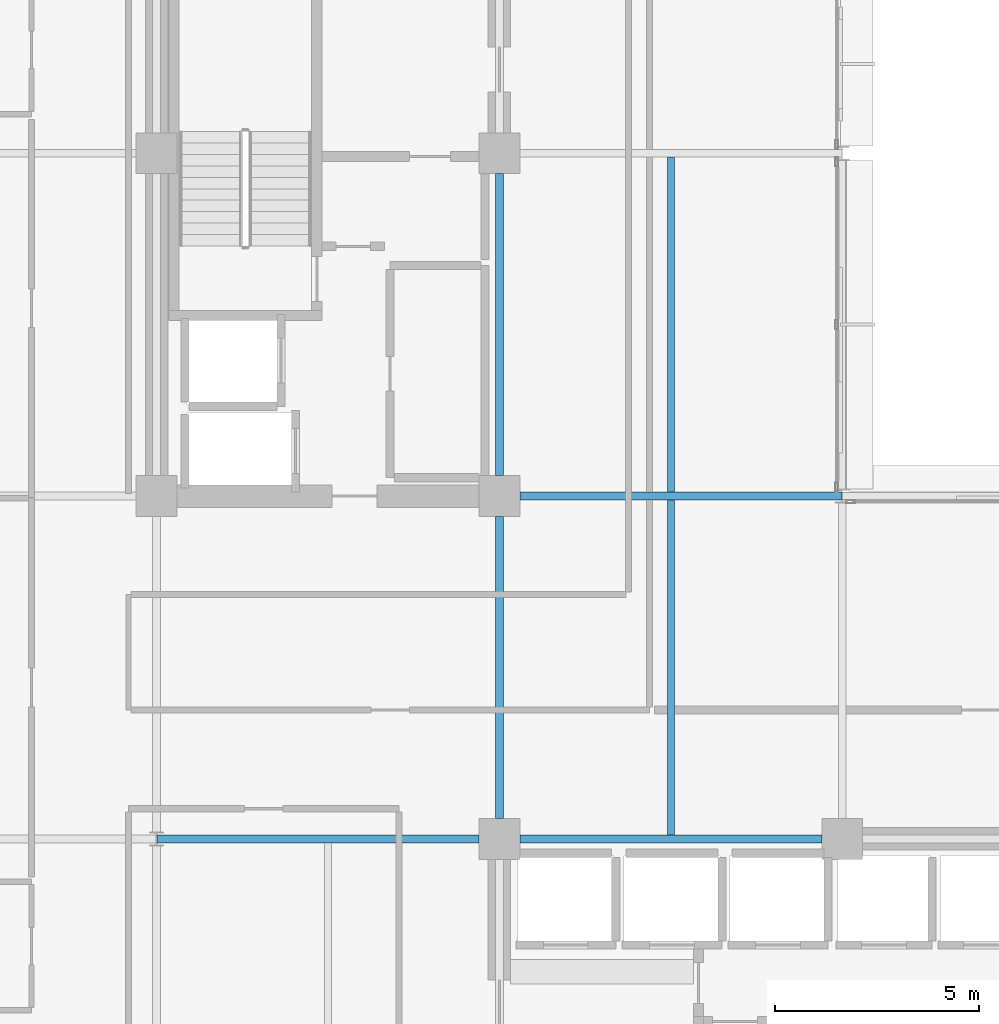
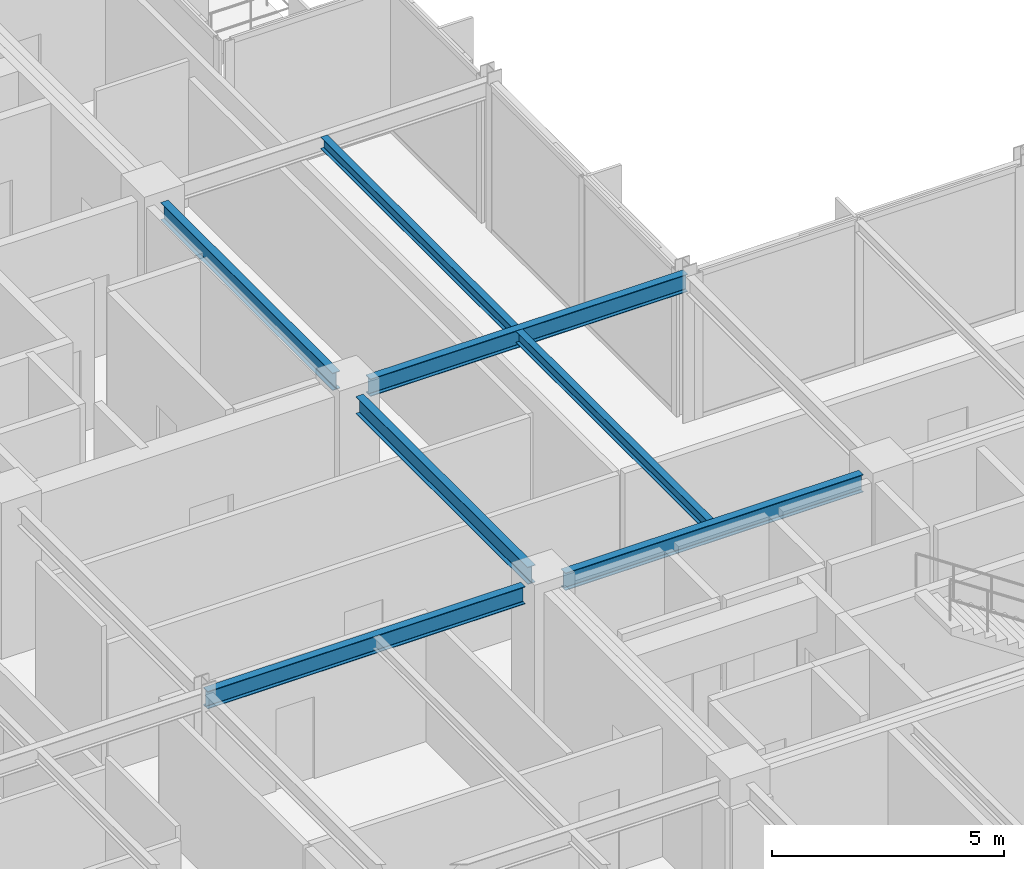
# One storey, part 6 of 21: 7 beams.
"""IFC4 building model written with IfcOpenShell, lengths in metres."""

from ifc_helpers import new_model, si_unit, direction, frame, origin, origin_2d, place, context, subcontext, project, spatial, i_section, extrude, material, material_profile, profile_set, type_object, element, save


model = new_model("IFC4")

# Units and contexts
model_context = context("Model", 3, precision=1e-05, world=origin(), true_north=direction((0.0, 1.0)))
body_context = subcontext(model_context, "Body", "Model", "MODEL_VIEW")
ifc_project = project(units=[si_unit("LENGTHUNIT", "METRE"), si_unit("AREAUNIT", "SQUARE_METRE"), si_unit("VOLUMEUNIT", "CUBIC_METRE"), si_unit("PLANEANGLEUNIT", "RADIAN"), si_unit("MASSUNIT", "GRAM", prefix="KILO")], contexts=[model_context])

# Site, building, storey
site_placement = place(None, origin())
site = spatial("IfcSite", under=ifc_project, at=site_placement, CompositionType="ELEMENT")
building_placement = place(site_placement, origin())
building = spatial("IfcBuilding", under=site, at=building_placement, Name="Nerrivon Quay Data Exchange", CompositionType="ELEMENT")
storey_placement = place(building_placement, frame((0.0, 0.0, 220.60009765625)))
storey = spatial("IfcBuildingStorey", under=building, at=storey_placement, Name="L52", CompositionType="ELEMENT", Elevation=220.60009765625)

# Beams
ifc_material = material(Name="Steel Grade 350", Category="steel")
ifc_material_profile_1 = material_profile(ifc_material, i_section(OverallWidth=0.19091796875, OverallDepth=0.4599609375, WebThickness=0.010009765625, FlangeThickness=0.01611328125, FilletRadius=0.011474609375, at=origin_2d()), Name="460UB82.1")
ifc_profile_set_1 = profile_set([ifc_material_profile_1], Name="Steel Grade 350")
beam_type_1 = type_object("IfcBeamType", Name="BM-G5-460UB82", PredefinedType="BEAM", material=ifc_profile_set_1)
beam_1_placement = place(storey_placement, frame((8.409912109375, 16.800048828125, 3.594970703125), z_axis=(1.0, 0.0, 0.0), x_axis=(0.0, 1.0, 0.0)))
element("IfcBeam", 1, at=beam_1_placement, inside=storey, type_object=beam_type_1, Name="L52 EW Girder Y=16.8 (8.4..16.8)", PredefinedType="BEAM", context=body_context, shape_type="SweptSolid", body=[
    extrude(i_section(OverallWidth=0.19091796875, OverallDepth=0.4599609375, WebThickness=0.010009765625, FlangeThickness=0.01611328125, FilletRadius=0.011474609375, at=origin_2d()), origin(), (0.0, 0.0, 1.0), 7.89013671875),
])
beam_2_placement = place(storey_placement, frame((17.300048828125, 16.800048828125, 3.594970703125), z_axis=(1.0, 0.0, 0.0), x_axis=(0.0, 1.0, 0.0)))
element("IfcBeam", 2, at=beam_2_placement, inside=storey, type_object=beam_type_1, Name="L52 EW Girder Y=16.8 (16.8..25.2)", PredefinedType="BEAM", context=body_context, shape_type="SweptSolid", body=[
    extrude(i_section(OverallWidth=0.19091796875, OverallDepth=0.4599609375, WebThickness=0.010009765625, FlangeThickness=0.01611328125, FilletRadius=0.011474609375, at=origin_2d()), origin(), (0.0, 0.0, 1.0), 7.39990234375),
])
beam_3_placement = place(storey_placement, frame((17.300048828125, 25.199951171875, 3.594970703125), z_axis=(1.0, 0.0, 0.0), x_axis=(0.0, 1.0, 0.0)))
element("IfcBeam", 3, at=beam_3_placement, inside=storey, type_object=beam_type_1, Name="L52 EW Girder Y=25.2 (16.8..25.2)", PredefinedType="BEAM", context=body_context, shape_type="SweptSolid", body=[
    extrude(i_section(OverallWidth=0.19091796875, OverallDepth=0.4599609375, WebThickness=0.010009765625, FlangeThickness=0.01611328125, FilletRadius=0.011474609375, at=origin_2d()), origin(), (0.0, 0.0, 1.0), 7.889892578125),
])
ifc_material_profile_2 = material_profile(ifc_material, i_section(OverallWidth=0.18994140625, OverallDepth=0.4541015625, WebThickness=0.008544921875, FlangeThickness=0.0126953125, FilletRadius=0.011474609375, at=origin_2d()), Name="460UB67.1")
ifc_profile_set_2 = profile_set([ifc_material_profile_2], Name="Steel Grade 350")
beam_type_2 = type_object("IfcBeamType", Name="BM-G6-460UB67", PredefinedType="BEAM", material=ifc_profile_set_2)
beam_4_placement = place(storey_placement, frame((16.800048828125, 17.300048828125, 3.597900390625), z_axis=(0.0, 1.0, 0.0), x_axis=(-1.0, 0.0, 0.0)))
element("IfcBeam", 4, at=beam_4_placement, inside=storey, type_object=beam_type_2, Name="L52 NS Girder X=16.8 (16.8..25.2)", PredefinedType="BEAM", context=body_context, shape_type="SweptSolid", body=[
    extrude(i_section(OverallWidth=0.18994140625, OverallDepth=0.4541015625, WebThickness=0.008544921875, FlangeThickness=0.0126953125, FilletRadius=0.011474609375, at=origin_2d()), origin(), (0.0, 0.0, 1.0), 7.39990234375),
])
beam_5_placement = place(storey_placement, frame((16.800048828125, 25.699951171875, 3.597900390625), z_axis=(0.0, 1.0, 0.0), x_axis=(-1.0, 0.0, 0.0)))
element("IfcBeam", 5, at=beam_5_placement, inside=storey, type_object=beam_type_2, Name="L52 NS Girder X=16.8 (25.2..33.6)", PredefinedType="BEAM", context=body_context, shape_type="SweptSolid", body=[
    extrude(i_section(OverallWidth=0.18994140625, OverallDepth=0.4541015625, WebThickness=0.008544921875, FlangeThickness=0.0126953125, FilletRadius=0.011474609375, at=origin_2d()), origin(), (0.0, 0.0, 1.0), 7.400146484375),
])
ifc_material_profile_3 = material_profile(ifc_material, i_section(OverallWidth=0.166015625, OverallDepth=0.306884765625, WebThickness=0.006591796875, FlangeThickness=0.01171875, FilletRadius=0.011474609375, at=origin_2d()), Name="310UB46.2")
ifc_profile_set_3 = profile_set([ifc_material_profile_3], Name="Steel Grade 350")
beam_type_3 = type_object("IfcBeamType", Name="BM-J5-310UB46", PredefinedType="JOIST", material=ifc_profile_set_3)
for number, where, z_axis, x_axis, name in (
    (6, (21.0, 16.8955078125, 3.67138671875), (0.0, 1.0, 0.0), (-1.0, 0.0, 0.0), "L52 Secondary Joist X=21.0 (16.8..25.2)"),
    (7, (21.0, 25.29541015625, 3.67138671875), (0.0, 1.0, 0.0), (-1.0, 0.0, 0.0), "L52 Secondary Joist X=21.0 (25.2..33.6)"),
):
    element("IfcBeam", number, at=place(storey_placement, frame(where, z_axis=z_axis, x_axis=x_axis)), inside=storey, type_object=beam_type_3, Name=name, PredefinedType="JOIST", context=body_context, shape_type="SweptSolid", body=[
        extrude(i_section(OverallWidth=0.166015625, OverallDepth=0.306884765625, WebThickness=0.006591796875, FlangeThickness=0.01171875, FilletRadius=0.011474609375, at=origin_2d()), origin(), (0.0, 0.0, 1.0), 8.208984375),
    ])

save(model, "model.ifc")
